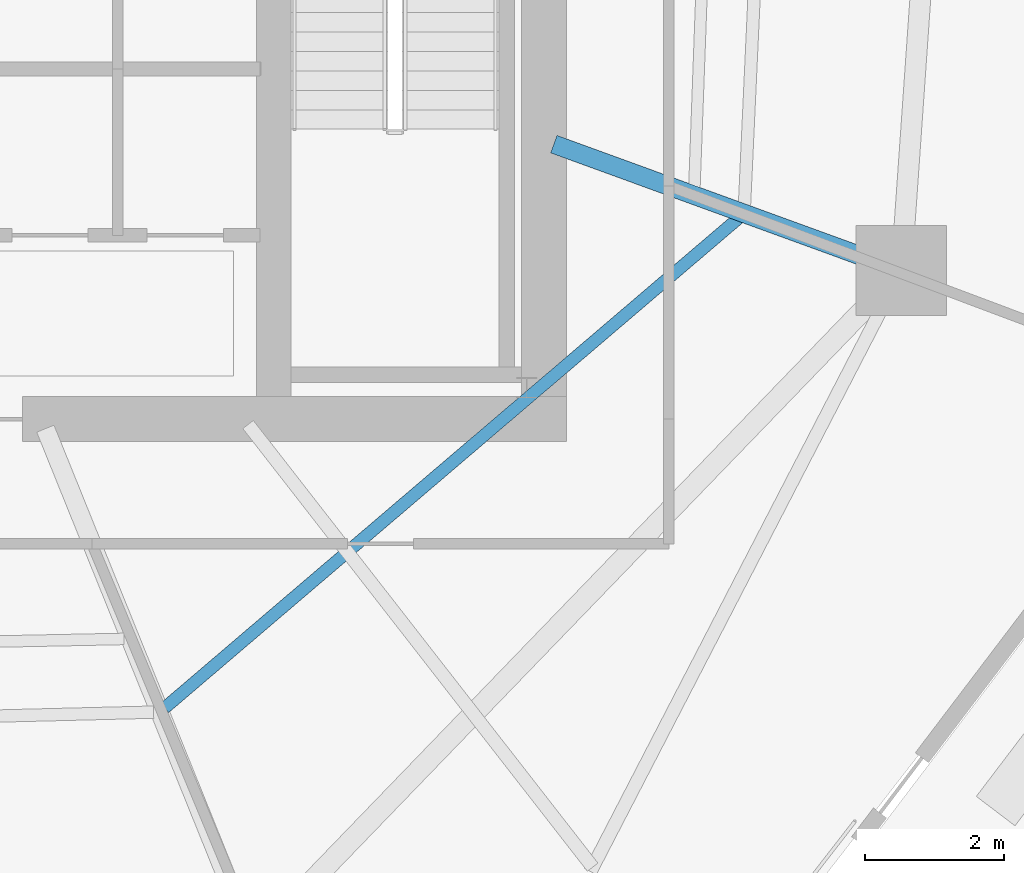
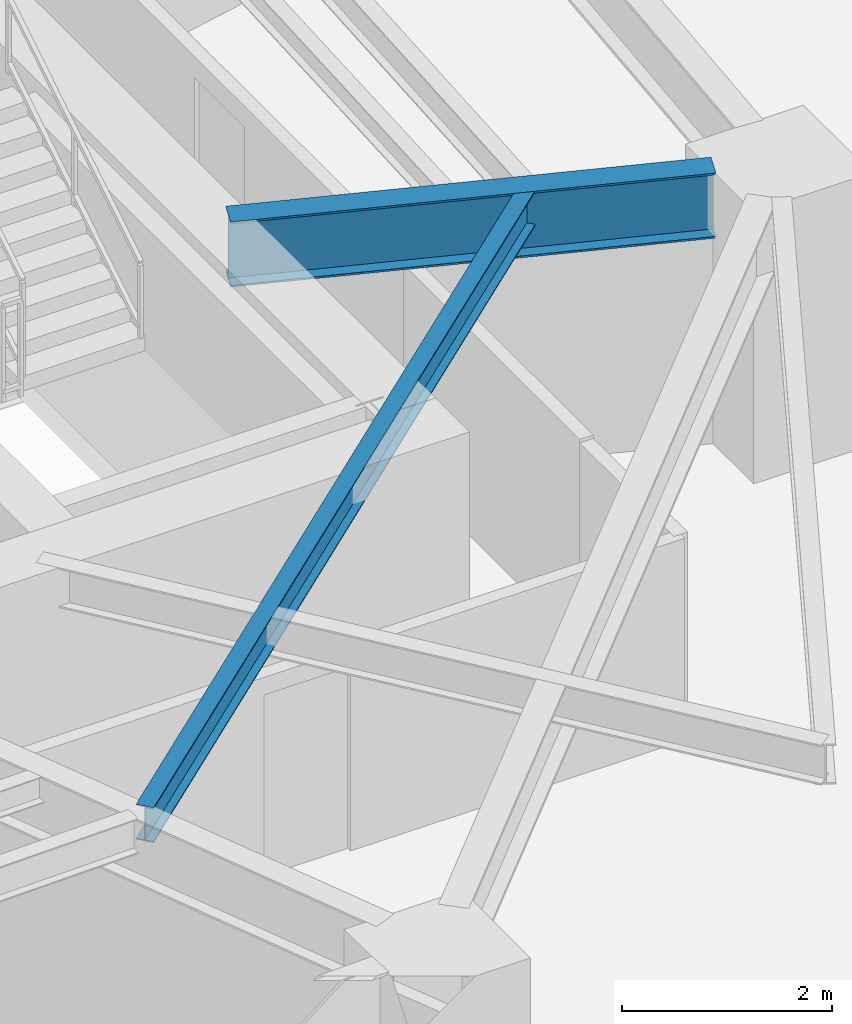
# One storey, part 12 of 30: 2 beams.
"""IFC4 building model written with IfcOpenShell, lengths in metres."""

from ifc_helpers import new_model, si_unit, direction, frame, origin, origin_2d, place, context, subcontext, project, spatial, i_section, extrude, material, material_profile, profile_set, type_object, element, save


model = new_model("IFC4")

# Units and contexts
model_context = context("Model", 3, precision=1e-05, world=origin(), true_north=direction((0.0, 1.0)))
body_context = subcontext(model_context, "Body", "Model", "MODEL_VIEW")
ifc_project = project(units=[si_unit("LENGTHUNIT", "METRE"), si_unit("AREAUNIT", "SQUARE_METRE"), si_unit("VOLUMEUNIT", "CUBIC_METRE"), si_unit("PLANEANGLEUNIT", "RADIAN"), si_unit("MASSUNIT", "GRAM", prefix="KILO")], contexts=[model_context])

# Site, building, storey
site_placement = place(None, origin())
site = spatial("IfcSite", under=ifc_project, at=site_placement, CompositionType="ELEMENT")
building_placement = place(site_placement, origin())
building = spatial("IfcBuilding", under=site, at=building_placement, Name="Qarnah Convention Tower", CompositionType="ELEMENT")
storey_placement = place(building_placement, frame((0.0, 0.0, 40.800048828125)))
storey = spatial("IfcBuildingStorey", under=building, at=storey_placement, Name="L09", CompositionType="ELEMENT", Elevation=40.800048828125)

# Beams
ifc_material = material(Name="Structural steel S355JR", Category="steel")
ifc_material_profile_1 = material_profile(ifc_material, i_section(OverallWidth=0.177978515625, OverallDepth=0.407958984375, WebThickness=0.008056640625, FlangeThickness=0.012939453125, at=origin_2d()), Name="W410X60")
ifc_profile_set_1 = profile_set([ifc_material_profile_1], Name="Structural steel S355JR")
beam_type_1 = type_object("IfcBeamType", Name="BM-JST-W410", PredefinedType="JOIST", material=ifc_profile_set_1)
beam_1_placement = place(storey_placement, frame((42.126953125, 14.43310546875, 2.966064453125), z_axis=(0.760695347203, 0.649109073071, 0.0), x_axis=(-0.649109073071, 0.760695347203, 0.0)))
element("IfcBeam", 1, at=beam_1_placement, inside=storey, type_object=beam_type_1, Name="L09 joist BM-L09-SJST-08", PredefinedType="JOIST", context=body_context, shape_type="SweptSolid", body=[
    extrude(i_section(OverallWidth=0.177978515625, OverallDepth=0.407958984375, WebThickness=0.008056640625, FlangeThickness=0.012939453125, at=origin_2d()), origin(), (0.0, 0.0, 1.0), 10.89794921875),
])
ifc_material_profile_2 = material_profile(ifc_material, i_section(OverallWidth=0.26806640625, OverallDepth=0.760009765625, WebThickness=0.014892578125, FlangeThickness=0.02197265625, at=origin_2d()), Name="W760X185")
ifc_profile_set_2 = profile_set([ifc_material_profile_2], Name="Structural steel S355JR")
beam_type_2 = type_object("IfcBeamType", Name="BM-RAD-W760", PredefinedType="BEAM", material=ifc_profile_set_2)
beam_2_placement = place(storey_placement, frame((47.740966796875, 22.56396484375, 2.7900390625), z_axis=(0.939656930297, -0.342118186224, 0.0), x_axis=(0.342118186224, 0.939656930297, 0.0)))
element("IfcBeam", 2, at=beam_2_placement, inside=storey, type_object=beam_type_2, Name="L09 beam BM-L09-RAD-09", PredefinedType="BEAM", context=body_context, shape_type="SweptSolid", body=[
    extrude(i_section(OverallWidth=0.26806640625, OverallDepth=0.760009765625, WebThickness=0.014892578125, FlangeThickness=0.02197265625, at=origin_2d()), origin(), (0.0, 0.0, 1.0), 4.70263671875),
])

save(model, "model.ifc")
